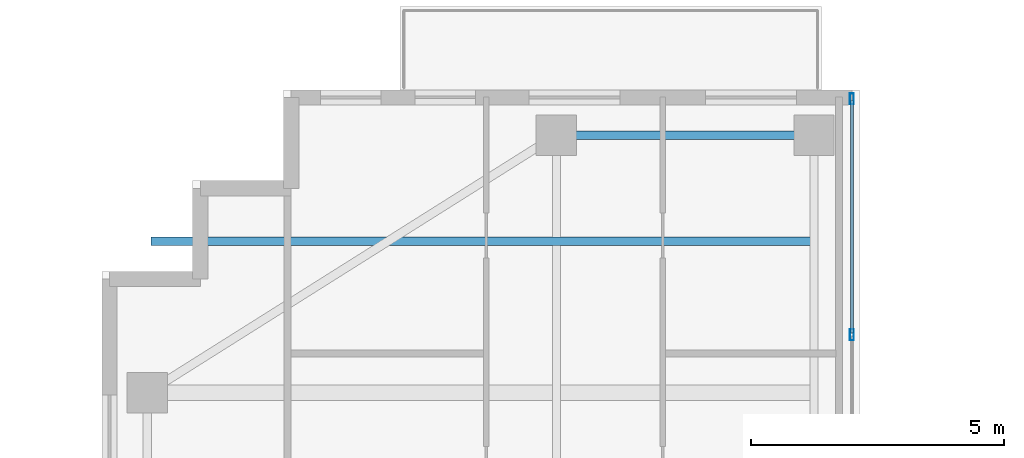
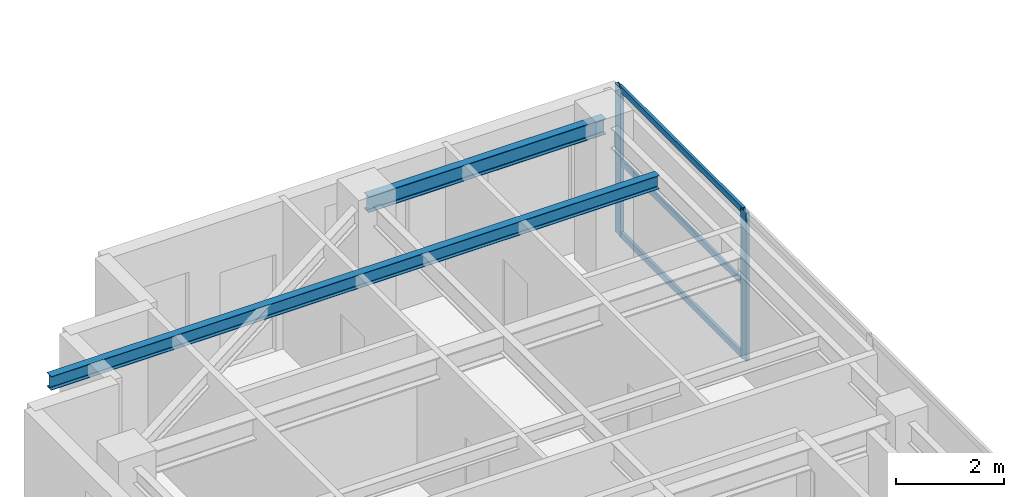
# One storey, part 14 of 23: 5 members, 2 beams, 1 element without a shape of its own.
"""IFC4 building model written with IfcOpenShell, lengths in metres."""

from ifc_helpers import new_model, si_unit, direction, frame, origin, origin_2d, place, context, subcontext, project, spatial, hollow_rectangle, i_section, extrude, source, transform, mapped, material, layer, layer_set, material_profile, profile_set, type_object, element, aggregate, save


model = new_model("IFC4")

# Units and contexts
model_context = context("Model", 3, precision=1e-05, world=origin(), true_north=direction((0.0, 1.0)))
body_context = subcontext(model_context, "Body", "Model", "MODEL_VIEW")
ifc_project = project(units=[si_unit("LENGTHUNIT", "METRE"), si_unit("AREAUNIT", "SQUARE_METRE"), si_unit("VOLUMEUNIT", "CUBIC_METRE"), si_unit("PLANEANGLEUNIT", "RADIAN"), si_unit("MASSUNIT", "GRAM", prefix="KILO")], contexts=[model_context])

# Site, building, storey
site_placement = place(None, origin())
site = spatial("IfcSite", under=ifc_project, at=site_placement, CompositionType="ELEMENT")
building_placement = place(site_placement, origin())
building = spatial("IfcBuilding", under=site, at=building_placement, Name="Khoralis Quay Care Tower", CompositionType="ELEMENT")
storey_placement = place(building_placement, frame((0.0, 0.0, 245.699951171875)))
storey = spatial("IfcBuildingStorey", under=building, at=storey_placement, Name="L64", CompositionType="ELEMENT", Elevation=245.699951171875)

# Beams
ifc_material_1 = material(Name="Steel S355", Category="steel")
ifc_material_profile_1 = material_profile(ifc_material_1, i_section(OverallWidth=0.169921875, OverallDepth=0.360107421875, WebThickness=0.008056640625, FlangeThickness=0.0126953125, FilletRadius=0.01806640625, at=origin_2d()), Name="Steel S355")
ifc_profile_set_1 = profile_set([ifc_material_profile_1], Name="Steel S355")
beam_type_1 = type_object("IfcBeamType", Name="BM-IPE360", PredefinedType="SPANDREL", material=ifc_profile_set_1)
shared_shape_1 = source(origin(), body_context, "Body", "SweptSolid", [
    extrude(i_section(OverallWidth=0.169921875, OverallDepth=0.360107421875, WebThickness=0.008056640625, FlangeThickness=0.0126953125, FilletRadius=0.01806640625, at=origin_2d()), origin(), (0.0, 0.0, 1.0), 5.10009765625),
])
beam_1_placement = place(storey_placement, frame((12.0, 41.10009765625, 3.179931640625), z_axis=(1.0, 0.0, 0.0), x_axis=(0.0, 1.0, 0.0)))
element("IfcBeam", 1, at=beam_1_placement, inside=storey, type_object=beam_type_1, Name="BM-TSP-L64-03", PredefinedType="SPANDREL", context=body_context, shape_type="MappedRepresentation", body=[
    mapped(shared_shape_1, transform((0.0, 0.0, 0.0), scale=1.0)),
])
ifc_material_profile_2 = material_profile(ifc_material_1, i_section(OverallWidth=0.1650390625, OverallDepth=0.31005859375, WebThickness=0.005859375, FlangeThickness=0.009765625, FilletRadius=0.011962890625, at=origin_2d()), Name="Steel S355")
ifc_profile_set_2 = profile_set([ifc_material_profile_2], Name="Steel S355")
beam_type_2 = type_object("IfcBeamType", Name="BM-W310X39", PredefinedType="JOIST", material=ifc_profile_set_2)
shared_shape_2 = source(origin(), body_context, "Body", "SweptSolid", [
    extrude(i_section(OverallWidth=0.1650390625, OverallDepth=0.31005859375, WebThickness=0.005859375, FlangeThickness=0.009765625, FilletRadius=0.011962890625, at=origin_2d()), origin(), (0.0, 0.0, 1.0), 13.06396484375),
])
beam_2_placement = place(storey_placement, frame((3.970947265625, 39.0, 3.205078125), z_axis=(1.0, 0.0, 0.0), x_axis=(0.0, 1.0, 0.0)))
element("IfcBeam", 2, at=beam_2_placement, inside=storey, type_object=beam_type_2, Name="BM-TJS-L64-21", PredefinedType="JOIST", context=body_context, shape_type="MappedRepresentation", body=[
    mapped(shared_shape_2, transform((0.0, 0.0, 0.0), scale=1.0)),
])

# Curtain wall, members
ifc_material_2 = material(Name="Pale anodised aluminium", Category="aluminium")
ifc_layer = layer(ifc_material_2, 0.18994140625)
ifc_layer_set = layer_set([ifc_layer], Name="Pale anodised aluminium")
curtain_wall_type = type_object("IfcCurtainWallType", Name="CW-SYS-PORTAL", PredefinedType="NOTDEFINED", material=ifc_layer_set)
curtain_wall_placement = place(storey_placement, origin())
curtain_wall = element("IfcCurtainWall", 3, at=curtain_wall_placement, inside=storey, type_object=curtain_wall_type, Name="L64 Unitised Curtain Wall CW-VP-L64-P1-N", PredefinedType="NOTDEFINED")
ifc_material_profile_3 = material_profile(ifc_material_2, hollow_rectangle(XDim=0.06005859375, YDim=0.139892578125, WallThickness=0.00390625, at=origin_2d()), Name="Pale anodised aluminium")
ifc_profile_set_3 = profile_set([ifc_material_profile_3], Name="Pale anodised aluminium")
member_type_1 = type_object("IfcMemberType", Name="CW-TRN-140", PredefinedType="USERDEFINED", material=ifc_profile_set_3)
shared_shape_3 = source(origin(), body_context, "Body", "SweptSolid", [
    extrude(hollow_rectangle(XDim=0.06005859375, YDim=0.139892578125, WallThickness=0.00390625, at=origin_2d()), origin(), (0.0, 0.0, 1.0), 4.610107421875),
])
member_1_placement = place(storey_placement, frame((17.85009765625, 37.179931640625, 0.030029296875), z_axis=(0.0, 1.0, 0.0), x_axis=(-1.0, 0.0, 0.0)))
member_1 = element("IfcMember", 4, at=member_1_placement, type_object=member_type_1, Name="CW4 transom 3.1", ObjectType="TRANSOM", PredefinedType="USERDEFINED", context=body_context, shape_type="MappedRepresentation", body=[
    mapped(shared_shape_3, transform((0.0, 0.0, 0.0), scale=1.0)),
])
member_2_placement = place(storey_placement, frame((17.85009765625, 37.179931640625, 1.679931640625), z_axis=(0.0, 1.0, 0.0), x_axis=(-1.0, 0.0, 0.0)))
member_2 = element("IfcMember", 5, at=member_2_placement, type_object=member_type_1, Name="CW4 transom 3.2", ObjectType="TRANSOM", PredefinedType="USERDEFINED", context=body_context, shape_type="MappedRepresentation", body=[
    mapped(shared_shape_3, transform((0.0, 0.0, 0.0), scale=1.0)),
])
member_3_placement = place(storey_placement, frame((17.85009765625, 37.179931640625, 3.330078125), z_axis=(0.0, 1.0, 0.0), x_axis=(-1.0, 0.0, 0.0)))
member_3 = element("IfcMember", 6, at=member_3_placement, type_object=member_type_1, Name="CW4 transom 3.3", ObjectType="TRANSOM", PredefinedType="USERDEFINED", context=body_context, shape_type="MappedRepresentation", body=[
    mapped(shared_shape_3, transform((0.0, 0.0, 0.0), scale=1.0)),
])
ifc_material_profile_4 = material_profile(ifc_material_2, hollow_rectangle(XDim=0.074951171875, YDim=0.219970703125, WallThickness=0.00390625, at=origin_2d()), Name="Pale anodised aluminium")
ifc_profile_set_4 = profile_set([ifc_material_profile_4], Name="Pale anodised aluminium")
member_type_2 = type_object("IfcMemberType", Name="CW-MUL-220", PredefinedType="MULLION", material=ifc_profile_set_4)
shared_shape_4 = source(origin(), body_context, "Body", "SweptSolid", [
    extrude(hollow_rectangle(XDim=0.074951171875, YDim=0.219970703125, WallThickness=0.00390625, at=origin_2d()), origin(), (0.0, 0.0, 1.0), 3.360107421875),
])
member_4_placement = place(storey_placement, frame((17.85009765625, 37.14990234375, 0.0), z_axis=(0.0, 0.0, 1.0), x_axis=(-1.0, 0.0, 0.0)))
member_4 = element("IfcMember", 7, at=member_4_placement, type_object=member_type_2, Name="CW4 mullion 3", PredefinedType="MULLION", context=body_context, shape_type="MappedRepresentation", body=[
    mapped(shared_shape_4, transform((0.0, 0.0, 0.0), scale=1.0)),
])
member_5_placement = place(storey_placement, frame((17.85009765625, 41.820068359375, 0.0), z_axis=(0.0, 0.0, 1.0), x_axis=(-1.0, 0.0, 0.0)))
member_5 = element("IfcMember", 8, at=member_5_placement, type_object=member_type_2, Name="CW4 mullion 4", PredefinedType="MULLION", context=body_context, shape_type="MappedRepresentation", body=[
    mapped(shared_shape_4, transform((0.0, 0.0, 0.0), scale=1.0)),
])
aggregate(curtain_wall, [member_4, member_5, member_1, member_2, member_3])

save(model, "model.ifc")
